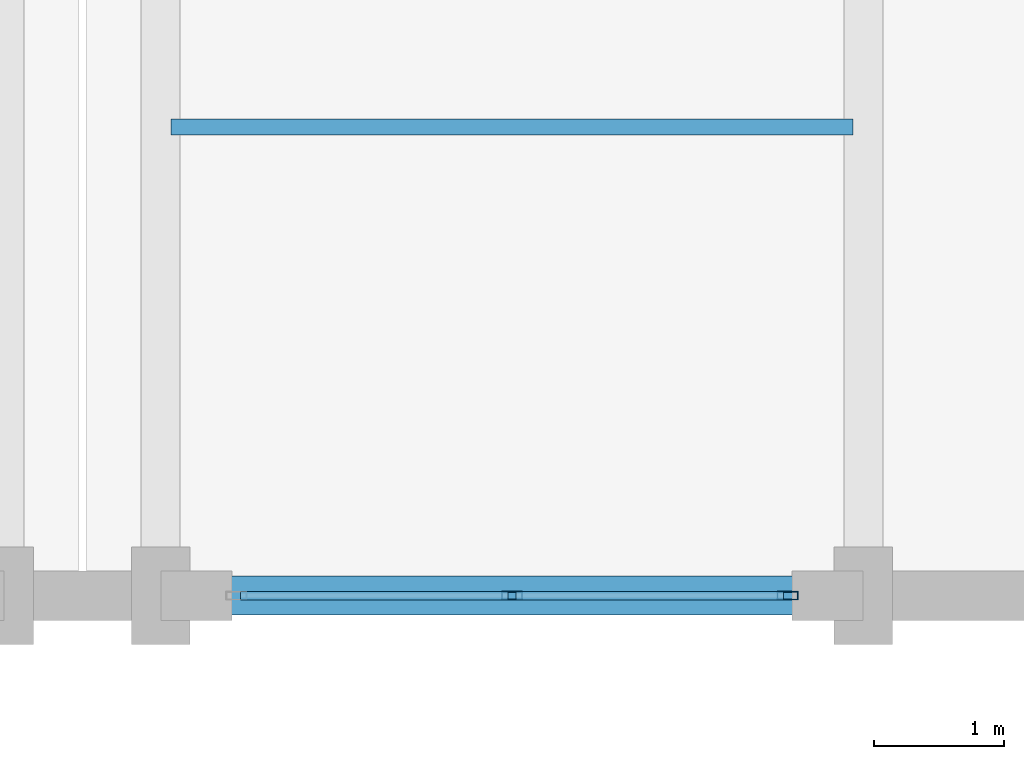
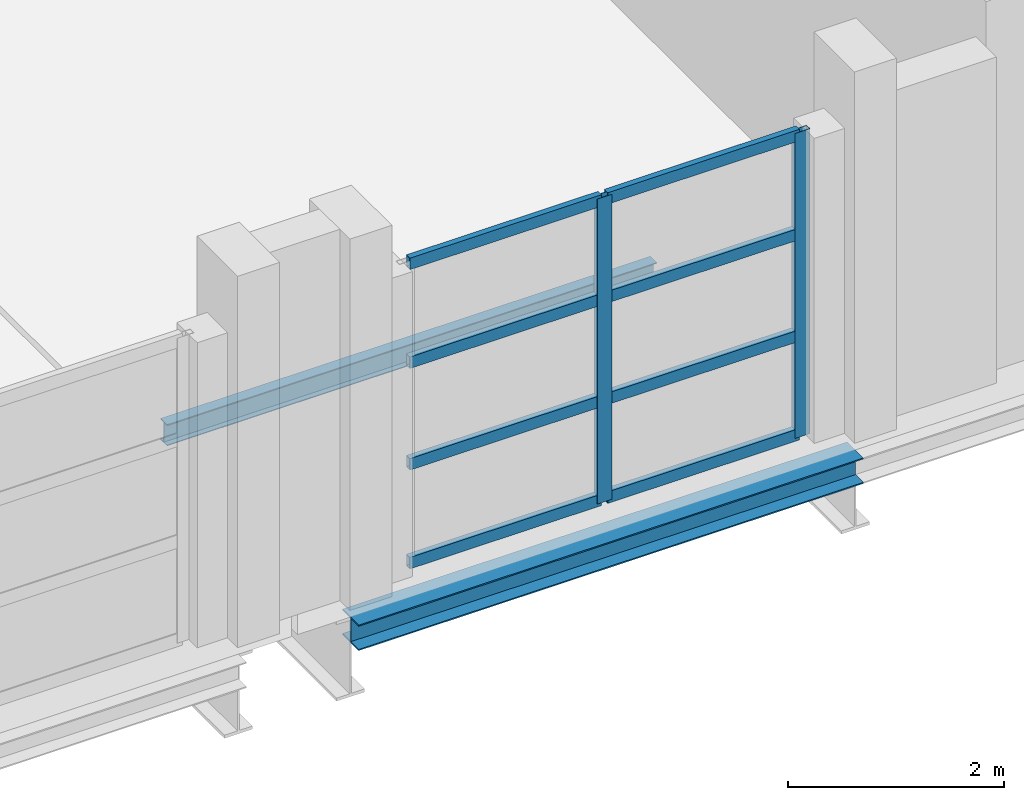
# One storey, part 89 of 147: 10 members, 2 beams, 1 element without a shape of its own.
"""IFC4 building model written with IfcOpenShell, lengths in metres."""

from ifc_helpers import new_model, si_unit, direction, frame, origin, origin_2d, place, context, subcontext, project, spatial, hollow_rectangle, i_section, extrude, material, layer, layer_set, material_profile, profile_set, type_object, element, aggregate, save


model = new_model("IFC4")

# Units and contexts
model_context = context("Model", 3, precision=1e-05, world=origin(), true_north=direction((0.0, 1.0)))
body_context = subcontext(model_context, "Body", "Model", "MODEL_VIEW")
ifc_project = project(units=[si_unit("LENGTHUNIT", "METRE"), si_unit("AREAUNIT", "SQUARE_METRE"), si_unit("VOLUMEUNIT", "CUBIC_METRE"), si_unit("PLANEANGLEUNIT", "RADIAN"), si_unit("MASSUNIT", "GRAM", prefix="KILO")], contexts=[model_context])

# Site, building, storey
site_placement = place(None, origin())
site = spatial("IfcSite", under=ifc_project, at=site_placement, CompositionType="ELEMENT")
building_placement = place(site_placement, origin())
building = spatial("IfcBuilding", under=site, at=building_placement, Name="Zilviju Railside Exhibition Hall", CompositionType="ELEMENT")
storey_placement = place(building_placement, frame((0.0, 0.0, 8.39990234375)))
storey = spatial("IfcBuildingStorey", under=building, at=storey_placement, Name="L03", CompositionType="ELEMENT", Elevation=8.39990234375)

# Beams
ifc_material_1 = material(Name="Steel S355J2", Category="steel")
ifc_material_profile_1 = material_profile(ifc_material_1, i_section(OverallWidth=0.300048828125, OverallDepth=0.2900390625, WebThickness=0.008544921875, FlangeThickness=0.013916015625, at=origin_2d()), Name="HEA 300")
ifc_profile_set_1 = profile_set([ifc_material_profile_1], Name="Steel S355J2")
beam_type_1 = type_object("IfcBeamType", Name="BM-HEA300", PredefinedType="SPANDREL", material=ifc_profile_set_1)
beam_1_placement = place(storey_placement, frame((126.60009765625, 84.0, -0.52490234375), z_axis=(1.0, 0.0, 0.0), x_axis=(0.0, 1.0, 0.0)))
element("IfcBeam", 1, at=beam_1_placement, inside=storey, type_object=beam_type_1, Name="Primary Girder L03 Y=84.0 (126.6..132.0)", PredefinedType="SPANDREL", context=body_context, shape_type="SweptSolid", body=[
    extrude(i_section(OverallWidth=0.300048828125, OverallDepth=0.2900390625, WebThickness=0.008544921875, FlangeThickness=0.013916015625, at=origin_2d()), origin(), (0.0, 0.0, 1.0), 5.39990234375),
])
ifc_material_profile_2 = material_profile(ifc_material_1, i_section(OverallWidth=0.1201171875, OverallDepth=0.239990234375, WebThickness=0.006103515625, FlangeThickness=0.009765625, at=origin_2d()), Name="IPE 240")
ifc_profile_set_2 = profile_set([ifc_material_profile_2], Name="Steel S355J2")
beam_type_2 = type_object("IfcBeamType", Name="BM-IPE240", PredefinedType="JOIST", material=ifc_profile_set_2)
beam_2_placement = place(storey_placement, frame((126.679931640625, 87.60009765625, -0.5), z_axis=(1.0, 0.0, 0.0), x_axis=(0.0, 1.0, 0.0)))
element("IfcBeam", 2, at=beam_2_placement, inside=storey, type_object=beam_type_2, Name="Composite Floor Joist L03 Y=87.60 (126.6..132.0)", PredefinedType="JOIST", context=body_context, shape_type="SweptSolid", body=[
    extrude(i_section(OverallWidth=0.1201171875, OverallDepth=0.239990234375, WebThickness=0.006103515625, FlangeThickness=0.009765625, at=origin_2d()), origin(), (0.0, 0.0, 1.0), 5.239990234375),
])

# Curtain wall, members
ifc_material_2 = material(Name="Thermally broken aluminium-steel triple-glazed curtain wall", Category="steel")
ifc_layer = layer(ifc_material_2, 0.179931640625)
ifc_layer_set = layer_set([ifc_layer], Name="Thermally broken aluminium-steel triple-glazed curtain wall")
curtain_wall_type = type_object("IfcCurtainWallType", Name="CW-BAY-20", PredefinedType="USERDEFINED", material=ifc_layer_set)
curtain_wall_placement = place(storey_placement, origin())
curtain_wall = element("IfcCurtainWall", 3, at=curtain_wall_placement, inside=storey, type_object=curtain_wall_type, Name="North Hall Garden Court Curtain Wall L03 (127..132)", ObjectType="GLAZED CURTAIN WALL", PredefinedType="USERDEFINED")
ifc_material_3 = material(Name="Thermally broken anodized aluminium mullion", Category="aluminium")
ifc_material_profile_3 = material_profile(ifc_material_3, hollow_rectangle(XDim=0.06494140625, YDim=0.159912109375, WallThickness=0.0048828125, at=origin_2d()), Name="MULLION 160x65x5")
ifc_profile_set_3 = profile_set([ifc_material_profile_3], Name="Thermally broken anodized aluminium mullion")
member_type_1 = type_object("IfcMemberType", Name="CWM-65x160", PredefinedType="MULLION", material=ifc_profile_set_3)
member_1_placement = place(storey_placement, frame((131.41748046875, 84.0, 0.0), z_axis=(0.0, 0.0, 1.0), x_axis=(0.0, -1.0, 0.0)))
member_1 = element("IfcMember", 4, at=member_1_placement, type_object=member_type_1, Name="CW-20 mullion 1", PredefinedType="MULLION", context=body_context, shape_type="SweptSolid", body=[
    extrude(hollow_rectangle(XDim=0.06494140625, YDim=0.159912109375, WallThickness=0.0048828125, at=origin_2d()), origin(), (0.0, 0.0, 1.0), 3.4501953125),
])
member_2_placement = place(storey_placement, frame((129.300048828125, 84.0, 0.0), z_axis=(0.0, 0.0, 1.0), x_axis=(0.0, -1.0, 0.0)))
member_2 = element("IfcMember", 5, at=member_2_placement, type_object=member_type_1, Name="CW-20 mullion 2", PredefinedType="MULLION", context=body_context, shape_type="SweptSolid", body=[
    extrude(hollow_rectangle(XDim=0.06494140625, YDim=0.159912109375, WallThickness=0.0048828125, at=origin_2d()), origin(), (0.0, 0.0, 1.0), 3.4501953125),
])
ifc_material_4 = material(Name="Thermally broken anodized aluminium transom", Category="aluminium")
ifc_material_profile_4 = material_profile(ifc_material_4, hollow_rectangle(XDim=0.06494140625, YDim=0.1298828125, WallThickness=0.0048828125, at=origin_2d()), Name="TRANSOM 130x65x5")
ifc_profile_set_4 = profile_set([ifc_material_profile_4], Name="Thermally broken anodized aluminium transom")
member_type_2 = type_object("IfcMemberType", Name="CWT-65x130", PredefinedType="USERDEFINED", material=ifc_profile_set_4)
member_3_placement = place(storey_placement, frame((131.385009765625, 84.0, 0.03271484375), z_axis=(-1.0, 0.0, 0.0), x_axis=(0.0, -1.0, 0.0)))
member_3 = element("IfcMember", 6, at=member_3_placement, type_object=member_type_2, Name="CW-20 transom 1.1", ObjectType="TRANSOM", PredefinedType="USERDEFINED", context=body_context, shape_type="SweptSolid", body=[
    extrude(hollow_rectangle(XDim=0.06494140625, YDim=0.1298828125, WallThickness=0.0048828125, at=origin_2d()), origin(), (0.0, 0.0, 1.0), 2.052490234375),
])
member_4_placement = place(storey_placement, frame((131.385009765625, 84.0, 1.150146484375), z_axis=(-1.0, 0.0, 0.0), x_axis=(0.0, -1.0, 0.0)))
member_4 = element("IfcMember", 7, at=member_4_placement, type_object=member_type_2, Name="CW-20 transom 1.2", ObjectType="TRANSOM", PredefinedType="USERDEFINED", context=body_context, shape_type="SweptSolid", body=[
    extrude(hollow_rectangle(XDim=0.06494140625, YDim=0.1298828125, WallThickness=0.0048828125, at=origin_2d()), origin(), (0.0, 0.0, 1.0), 2.052490234375),
])
member_5_placement = place(storey_placement, frame((131.385009765625, 84.0, 2.300048828125), z_axis=(-1.0, 0.0, 0.0), x_axis=(0.0, -1.0, 0.0)))
member_5 = element("IfcMember", 8, at=member_5_placement, type_object=member_type_2, Name="CW-20 transom 1.3", ObjectType="TRANSOM", PredefinedType="USERDEFINED", context=body_context, shape_type="SweptSolid", body=[
    extrude(hollow_rectangle(XDim=0.06494140625, YDim=0.1298828125, WallThickness=0.0048828125, at=origin_2d()), origin(), (0.0, 0.0, 1.0), 2.052490234375),
])
member_6_placement = place(storey_placement, frame((131.385009765625, 84.0, 3.41748046875), z_axis=(-1.0, 0.0, 0.0), x_axis=(0.0, -1.0, 0.0)))
member_6 = element("IfcMember", 9, at=member_6_placement, type_object=member_type_2, Name="CW-20 transom 1.4", ObjectType="TRANSOM", PredefinedType="USERDEFINED", context=body_context, shape_type="SweptSolid", body=[
    extrude(hollow_rectangle(XDim=0.06494140625, YDim=0.1298828125, WallThickness=0.0048828125, at=origin_2d()), origin(), (0.0, 0.0, 1.0), 2.052490234375),
])
member_7_placement = place(storey_placement, frame((129.267578125, 84.0, 0.03271484375), z_axis=(-1.0, 0.0, 0.0), x_axis=(0.0, -1.0, 0.0)))
member_7 = element("IfcMember", 10, at=member_7_placement, type_object=member_type_2, Name="CW-20 transom 2.1", ObjectType="TRANSOM", PredefinedType="USERDEFINED", context=body_context, shape_type="SweptSolid", body=[
    extrude(hollow_rectangle(XDim=0.06494140625, YDim=0.1298828125, WallThickness=0.0048828125, at=origin_2d()), origin(), (0.0, 0.0, 1.0), 2.052490234375),
])
member_8_placement = place(storey_placement, frame((129.267578125, 84.0, 1.150146484375), z_axis=(-1.0, 0.0, 0.0), x_axis=(0.0, -1.0, 0.0)))
member_8 = element("IfcMember", 11, at=member_8_placement, type_object=member_type_2, Name="CW-20 transom 2.2", ObjectType="TRANSOM", PredefinedType="USERDEFINED", context=body_context, shape_type="SweptSolid", body=[
    extrude(hollow_rectangle(XDim=0.06494140625, YDim=0.1298828125, WallThickness=0.0048828125, at=origin_2d()), origin(), (0.0, 0.0, 1.0), 2.052490234375),
])
member_9_placement = place(storey_placement, frame((129.267578125, 84.0, 2.300048828125), z_axis=(-1.0, 0.0, 0.0), x_axis=(0.0, -1.0, 0.0)))
member_9 = element("IfcMember", 12, at=member_9_placement, type_object=member_type_2, Name="CW-20 transom 2.3", ObjectType="TRANSOM", PredefinedType="USERDEFINED", context=body_context, shape_type="SweptSolid", body=[
    extrude(hollow_rectangle(XDim=0.06494140625, YDim=0.1298828125, WallThickness=0.0048828125, at=origin_2d()), origin(), (0.0, 0.0, 1.0), 2.052490234375),
])
member_10_placement = place(storey_placement, frame((129.267578125, 84.0, 3.41748046875), z_axis=(-1.0, 0.0, 0.0), x_axis=(0.0, -1.0, 0.0)))
member_10 = element("IfcMember", 13, at=member_10_placement, type_object=member_type_2, Name="CW-20 transom 2.4", ObjectType="TRANSOM", PredefinedType="USERDEFINED", context=body_context, shape_type="SweptSolid", body=[
    extrude(hollow_rectangle(XDim=0.06494140625, YDim=0.1298828125, WallThickness=0.0048828125, at=origin_2d()), origin(), (0.0, 0.0, 1.0), 2.052490234375),
])
aggregate(curtain_wall, [member_1, member_2, member_3, member_4, member_5, member_6, member_7, member_8, member_9, member_10])

save(model, "model.ifc")
